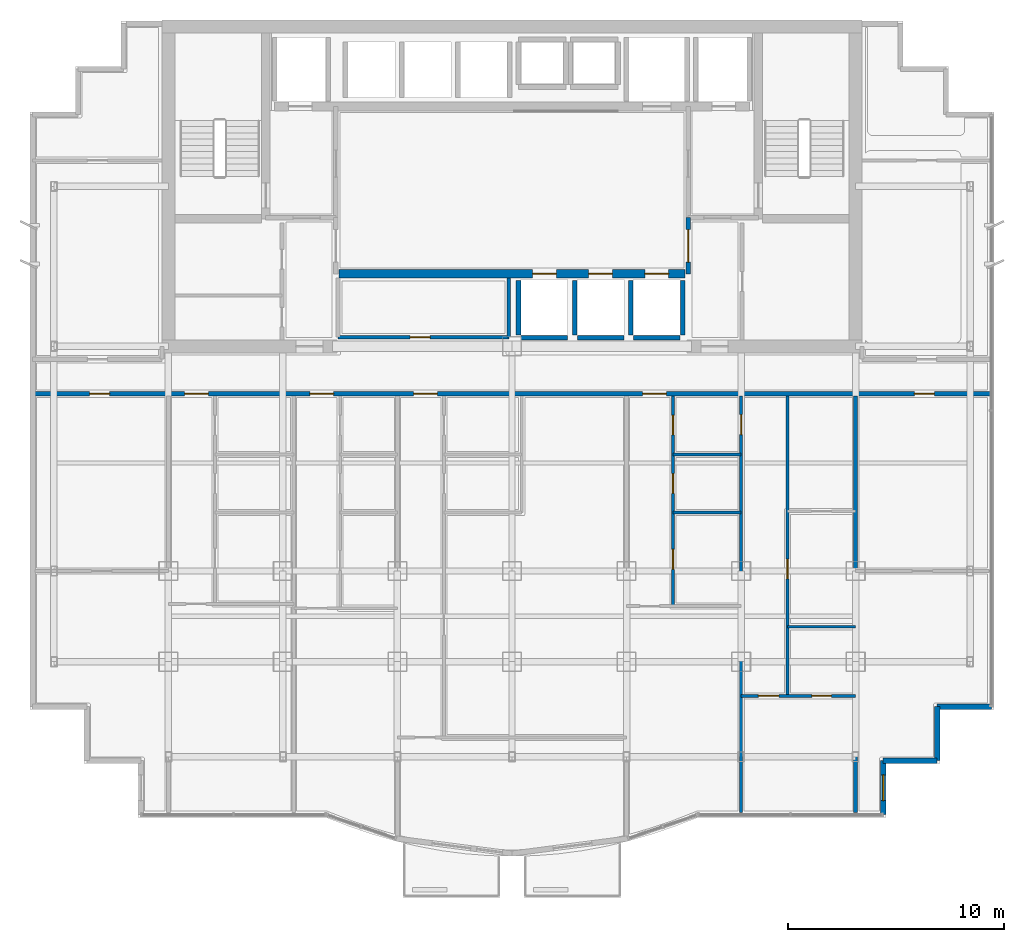
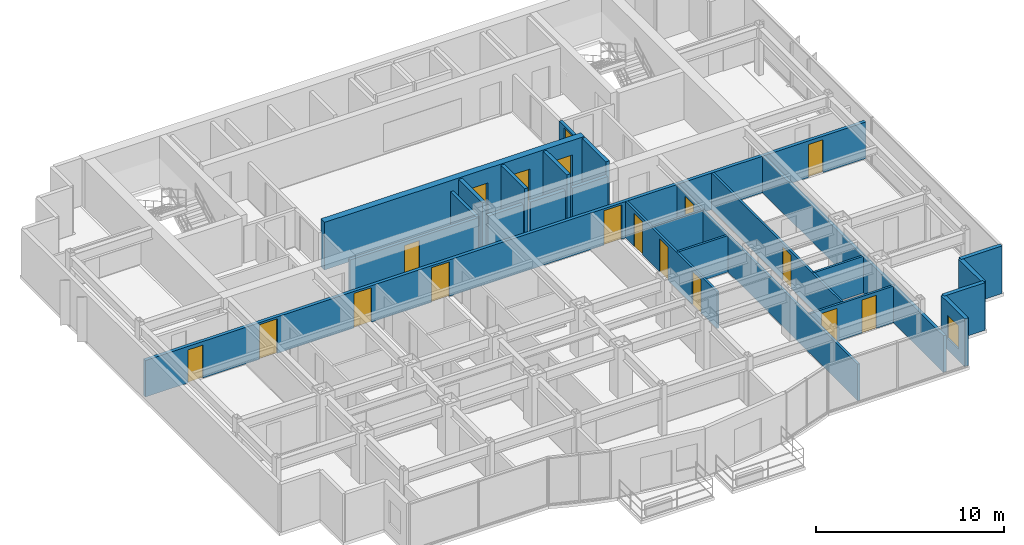
# One storey, part 9 of 13: 24 walls, 18 doors, 1 window, 19 openings.
"""IFC4 building model written with IfcOpenShell, lengths in metres."""

from ifc_helpers import new_model, si_unit, direction, frame, frame_2d, origin, place, context, subcontext, project, spatial, rectangle, extrude, material, layer, layer_set, type_object, element, fill, save


model = new_model("IFC4")

# Units and contexts
model_context = context("Model", 3, precision=1e-05, world=origin(), true_north=direction((0.0, 1.0)))
body_context = subcontext(model_context, "Body", "Model", "MODEL_VIEW")
ifc_project = project(units=[si_unit("LENGTHUNIT", "METRE"), si_unit("AREAUNIT", "SQUARE_METRE"), si_unit("VOLUMEUNIT", "CUBIC_METRE"), si_unit("PLANEANGLEUNIT", "RADIAN"), si_unit("MASSUNIT", "GRAM", prefix="KILO")], contexts=[model_context])

# Site, building, storey
site_placement = place(None, origin())
site = spatial("IfcSite", under=ifc_project, at=site_placement, CompositionType="ELEMENT")
building_placement = place(site_placement, origin())
building = spatial("IfcBuilding", under=site, at=building_placement, Name="Qianlan Lanfeng Residences", CompositionType="ELEMENT")
storey_placement = place(building_placement, frame((0.0, 0.0, 142.5)))
storey = spatial("IfcBuildingStorey", under=building, at=storey_placement, Name="L38", CompositionType="ELEMENT", Elevation=142.5)

# Wall, openings, doors
ifc_material_1 = material(Name="Concrete C56", Category="concrete")
ifc_layer_1 = layer(ifc_material_1, 0.39990234375)
ifc_layer_set_1 = layer_set([ifc_layer_1], Name="Concrete C56")
wall_type_1 = type_object("IfcWallType", Name="CW-RC-400", PredefinedType="SHEAR", material=ifc_layer_set_1)
wall_1_placement = place(storey_placement, frame((18.5, 28.550048828125, 0.0), z_axis=(0.0, 0.0, 1.0), x_axis=(1.0, 0.0, 0.0)))
wall_1 = element("IfcWall", 1, at=wall_1_placement, inside=storey, type_object=wall_type_1, Name="L38 Core Shear Wall LBS", PredefinedType="SHEAR", context=body_context, shape_type="SweptSolid", body=[
    extrude(rectangle(XDim=16.0, YDim=0.39990234375, at=frame_2d((8.0, 0.0))), origin(), (0.0, 0.0, 1.0), 3.10009765625),
])
opening_1_placement = place(wall_1_placement, frame((8.949951171875, 0.0, 0.0)))
opening_1 = element("IfcOpeningElement", 2, at=opening_1_placement, cuts=wall_1, Name="Opening L38-LD-PL-M1", PredefinedType="OPENING", context=body_context, shape_type="SweptSolid", body=[
    extrude(rectangle(XDim=1.10009765625, YDim=2.14990234375, at=frame_2d((0.550048828125, 1.074951171875))), frame((0.0, 0.2099609375, 0.0), z_axis=(0.0, -1.0, 0.0), x_axis=(1.0, 0.0, 0.0)), (0.0, 0.0, 1.0), 0.419921875),
])
opening_2_placement = place(wall_1_placement, frame((11.550048828125, 0.0, 0.0)))
opening_2 = element("IfcOpeningElement", 3, at=opening_2_placement, cuts=wall_1, Name="Opening L38-LD-PL-M2", PredefinedType="OPENING", context=body_context, shape_type="SweptSolid", body=[
    extrude(rectangle(XDim=1.10009765625, YDim=2.14990234375, at=frame_2d((0.550048828125, 1.074951171875))), frame((0.0, 0.2099609375, 0.0), z_axis=(0.0, -1.0, 0.0), x_axis=(1.0, 0.0, 0.0)), (0.0, 0.0, 1.0), 0.419921875),
])
opening_3_placement = place(wall_1_placement, frame((14.14990234375, 0.0, 0.0)))
opening_3 = element("IfcOpeningElement", 4, at=opening_3_placement, cuts=wall_1, Name="Opening L38-LD-PL-M3", PredefinedType="OPENING", context=body_context, shape_type="SweptSolid", body=[
    extrude(rectangle(XDim=1.10009765625, YDim=2.14990234375, at=frame_2d((0.550048828125, 1.074951171875))), frame((0.0, 0.2099609375, 0.0), z_axis=(0.0, -1.0, 0.0), x_axis=(1.0, 0.0, 0.0)), (0.0, 0.0, 1.0), 0.419921875),
])
ifc_material_2 = material(Name="Brushed Stainless Steel Sliding Lift Door", Category="steel")
door_type_1 = type_object("IfcDoorType", Name="LD-01", OperationType="NOTDEFINED", PredefinedType="DOOR", material=ifc_material_2)
door_1_placement = place(opening_1_placement, origin())
door_1 = element("IfcDoor", 5, at=door_1_placement, inside=storey, type_object=door_type_1, Name="L38 Elevator PL-M1 Sliding Landing Door", OperationType="DOUBLE_DOOR_SLIDING", OverallHeight=2.14990234375, OverallWidth=1.10009765625, PredefinedType="DOOR", context=body_context, shape_type="SweptSolid", body=[
    extrude(rectangle(XDim=1.10009765625, YDim=2.14990234375, at=frame_2d((0.550048828125, 1.074951171875))), frame((0.0, 0.02490234375, 0.0), z_axis=(0.0, -1.0, 0.0), x_axis=(1.0, 0.0, 0.0)), (0.0, 0.0, 1.0), 0.050048828125),
])
fill(opening_1, door_1)
door_2_placement = place(opening_2_placement, origin())
door_2 = element("IfcDoor", 6, at=door_2_placement, inside=storey, type_object=door_type_1, Name="L38 Elevator PL-M2 Sliding Landing Door", OperationType="DOUBLE_DOOR_SLIDING", OverallHeight=2.14990234375, OverallWidth=1.10009765625, PredefinedType="DOOR", context=body_context, shape_type="SweptSolid", body=[
    extrude(rectangle(XDim=1.10009765625, YDim=2.14990234375, at=frame_2d((0.550048828125, 1.074951171875))), frame((0.0, 0.02490234375, 0.0), z_axis=(0.0, -1.0, 0.0), x_axis=(1.0, 0.0, 0.0)), (0.0, 0.0, 1.0), 0.050048828125),
])
fill(opening_2, door_2)
door_3_placement = place(opening_3_placement, origin())
door_3 = element("IfcDoor", 7, at=door_3_placement, inside=storey, type_object=door_type_1, Name="L38 Elevator PL-M3 Sliding Landing Door", OperationType="DOUBLE_DOOR_SLIDING", OverallHeight=2.14990234375, OverallWidth=1.10009765625, PredefinedType="DOOR", context=body_context, shape_type="SweptSolid", body=[
    extrude(rectangle(XDim=1.10009765625, YDim=2.14990234375, at=frame_2d((0.550048828125, 1.074951171875))), frame((0.0, 0.02490234375, 0.0), z_axis=(0.0, -1.0, 0.0), x_axis=(1.0, 0.0, 0.0)), (0.0, 0.0, 1.0), 0.050048828125),
])
fill(opening_3, door_3)

# Wall, opening, window
ifc_material_3 = material(Name="Concrete C42", Category="concrete")
ifc_layer_2 = layer(ifc_material_3, 0.239990234375)
ifc_layer_set_2 = layer_set([ifc_layer_2], Name="Concrete C42")
wall_type_2 = type_object("IfcWallType", Name="EW-240", PredefinedType="SOLIDWALL", material=ifc_layer_set_2)
wall_2_placement = place(storey_placement, frame((43.679931640625, 3.52001953125, 0.0), z_axis=(0.0, 0.0, 1.0), x_axis=(0.0, 1.0, 0.0)))
wall_2 = element("IfcWall", 8, at=wall_2_placement, inside=storey, type_object=wall_type_2, Name="L38 Exterior Facade Spandrel Wall 7", PredefinedType="SOLIDWALL", context=body_context, shape_type="SweptSolid", body=[
    extrude(rectangle(XDim=2.5, YDim=0.239990234375, at=frame_2d((1.25, 0.0))), origin(), (0.0, 0.0, 1.0), 3.10009765625),
])
opening_4_placement = place(wall_2_placement, frame((0.64990234375, 0.0, 0.75)))
opening_4 = element("IfcOpeningElement", 9, at=opening_4_placement, cuts=wall_2, Name="Opening W-03", PredefinedType="OPENING", context=body_context, shape_type="SweptSolid", body=[
    extrude(rectangle(XDim=1.199951171875, YDim=1.5, at=frame_2d((0.60009765625, 0.75))), frame((0.0, 0.1298828125, 0.0), z_axis=(0.0, -1.0, 0.0), x_axis=(1.0, 0.0, 0.0)), (0.0, 0.0, 1.0), 0.260009765625),
])
ifc_material_4 = material(Name="Anodised Bronze Aluminium Framed Double Glazing", Category="aluminium")
window_type = type_object("IfcWindowType", Name="W-03", PartitioningType="SINGLE_PANEL", PredefinedType="WINDOW", material=ifc_material_4)
window_placement = place(opening_4_placement, origin())
window = element("IfcWindow", 10, at=window_placement, inside=storey, type_object=window_type, Name="L38 Facade Punched Window W-03", OverallHeight=1.5, OverallWidth=1.199951171875, PartitioningType="SINGLE_PANEL", PredefinedType="WINDOW", context=body_context, shape_type="SweptSolid", body=[
    extrude(rectangle(XDim=1.199951171875, YDim=1.5, at=frame_2d((0.60009765625, 0.75))), frame((0.0, 0.030029296875, 0.0), z_axis=(0.0, -1.0, 0.0), x_axis=(1.0, 0.0, 0.0)), (0.0, 0.0, 1.0), 0.06005859375),
])
fill(opening_4, window)

# Walls
for number, where, z_axis, x_axis, name in (
    (11, (43.679931640625, 6.02001953125, 0.0), (0.0, 0.0, 1.0), (1.0, 0.0, 0.0), "L38 Exterior Facade Spandrel Wall 8"),
    (12, (46.179931640625, 6.02001953125, 0.0), (0.0, 0.0, 1.0), (0.0, 1.0, 0.0), "L38 Exterior Facade Spandrel Wall 9"),
    (13, (46.179931640625, 8.52001953125, 0.0), (0.0, 0.0, 1.0), (1.0, 0.0, 0.0), "L38 Exterior Facade Spandrel Wall 10"),
):
    element("IfcWall", number, at=place(storey_placement, frame(where, z_axis=z_axis, x_axis=x_axis)), inside=storey, type_object=wall_type_2, Name=name, PredefinedType="SOLIDWALL", context=body_context, shape_type="SweptSolid", body=[
        extrude(rectangle(XDim=2.5, YDim=0.239990234375, at=frame_2d((1.25, 0.0))), origin(), (0.0, 0.0, 1.0), 3.10009765625),
    ])

# Wall, opening, door
ifc_material_5 = material(Name="Moisture-Resistant Gypsum Partition 135 mm")
ifc_layer_3 = layer(ifc_material_5, 0.135009765625)
ifc_layer_set_3 = layer_set([ifc_layer_3], Name="Moisture-Resistant Gypsum Partition 135 mm")
wall_type_3 = type_object("IfcWallType", Name="PW-135", PredefinedType="PARTITIONING", material=ifc_layer_set_3)
wall_3_placement = place(storey_placement, frame((37.10009765625, 3.6201171875, 0.0), z_axis=(0.0, 0.0, 1.0), x_axis=(0.0, 1.0, 0.0)))
wall_3 = element("IfcWall", 14, at=wall_3_placement, inside=storey, type_object=wall_type_3, Name="L38 U04 Bay Spine Wall 1", PredefinedType="PARTITIONING", context=body_context, shape_type="SweptSolid", body=[
    extrude(rectangle(XDim=19.27978515625, YDim=0.135009765625, at=frame_2d((9.639892578125, 0.0))), origin(), (0.0, 0.0, 1.0), 2.3798828125),
])
opening_5_placement = place(wall_3_placement, frame((17.4951171875, 0.0, 0.0)))
opening_5 = element("IfcOpeningElement", 15, at=opening_5_placement, cuts=wall_3, Name="Opening L38-D31", PredefinedType="OPENING", context=body_context, shape_type="SweptSolid", body=[
    extrude(rectangle(XDim=0.919921875, YDim=2.14990234375, at=frame_2d((0.4599609375, 1.074951171875))), frame((0.0, 0.07763671875, 0.0), z_axis=(0.0, -1.0, 0.0), x_axis=(1.0, 0.0, 0.0)), (0.0, 0.0, 1.0), 0.155029296875),
])
ifc_material_6 = material(Name="Glazed Timber Kitchen/Study Door", Category="wood")
door_type_2 = type_object("IfcDoorType", Name="DT-INT", OperationType="NOTDEFINED", PredefinedType="DOOR", material=ifc_material_6)
door_4_placement = place(opening_5_placement, origin())
door_4 = element("IfcDoor", 16, at=door_4_placement, inside=storey, type_object=door_type_2, Name="L38 U04 Internal Hall Door L38-D31 (DT-INT)", OperationType="SINGLE_SWING_RIGHT", OverallHeight=2.14990234375, OverallWidth=0.919921875, PredefinedType="DOOR", context=body_context, shape_type="SweptSolid", body=[
    extrude(rectangle(XDim=0.919921875, YDim=2.14990234375, at=frame_2d((0.4599609375, 1.074951171875))), frame((0.0, 0.02490234375, 0.0), z_axis=(0.0, -1.0, 0.0), x_axis=(1.0, 0.0, 0.0)), (0.0, 0.0, 1.0), 0.050048828125),
])
fill(opening_5, door_4)

# Wall, openings, doors
wall_4_placement = place(storey_placement, frame((33.949951171875, 13.174072265625, 0.0), z_axis=(0.0, 0.0, 1.0), x_axis=(0.0, 1.0, 0.0)))
wall_4 = element("IfcWall", 17, at=wall_4_placement, inside=storey, type_object=wall_type_3, Name="L38 U04 Entry Hall Spine", PredefinedType="PARTITIONING", context=body_context, shape_type="SweptSolid", body=[
    extrude(rectangle(XDim=9.725830078125, YDim=0.135009765625, at=frame_2d((4.86279296875, 0.0))), origin(), (0.0, 0.0, 1.0), 2.3798828125),
])
opening_6_placement = place(wall_4_placement, frame((1.702880859375, 0.0, 0.0)))
opening_6 = element("IfcOpeningElement", 18, at=opening_6_placement, cuts=wall_4, Name="Opening L38-D33", PredefinedType="OPENING", context=body_context, shape_type="SweptSolid", body=[
    extrude(rectangle(XDim=0.919921875, YDim=2.14990234375, at=frame_2d((0.4599609375, 1.074951171875))), frame((0.0, 0.07763671875, 0.0), z_axis=(0.0, -1.0, 0.0), x_axis=(1.0, 0.0, 0.0)), (0.0, 0.0, 1.0), 0.155029296875),
])
opening_7_placement = place(wall_4_placement, frame((5.216064453125, 0.0, 0.0)))
opening_7 = element("IfcOpeningElement", 19, at=opening_7_placement, cuts=wall_4, Name="Opening L38-D34", PredefinedType="OPENING", context=body_context, shape_type="SweptSolid", body=[
    extrude(rectangle(XDim=0.919921875, YDim=2.14990234375, at=frame_2d((0.4599609375, 1.074951171875))), frame((0.0, 0.07763671875, 0.0), z_axis=(0.0, -1.0, 0.0), x_axis=(1.0, 0.0, 0.0)), (0.0, 0.0, 1.0), 0.155029296875),
])
opening_8_placement = place(wall_4_placement, frame((7.926025390625, 0.0, 0.0)))
opening_8 = element("IfcOpeningElement", 20, at=opening_8_placement, cuts=wall_4, Name="Opening L38-D35", PredefinedType="OPENING", context=body_context, shape_type="SweptSolid", body=[
    extrude(rectangle(XDim=0.89990234375, YDim=2.14990234375, at=frame_2d((0.449951171875, 1.074951171875))), frame((0.0, 0.07763671875, 0.0), z_axis=(0.0, -1.0, 0.0), x_axis=(1.0, 0.0, 0.0)), (0.0, 0.0, 1.0), 0.155029296875),
])
door_5_placement = place(opening_6_placement, origin())
door_5 = element("IfcDoor", 21, at=door_5_placement, inside=storey, type_object=door_type_2, Name="L38 U04 Study Door L38-D33 (DT-INT)", OperationType="SINGLE_SWING_RIGHT", OverallHeight=2.14990234375, OverallWidth=0.919921875, PredefinedType="DOOR", context=body_context, shape_type="SweptSolid", body=[
    extrude(rectangle(XDim=0.919921875, YDim=2.14990234375, at=frame_2d((0.4599609375, 1.074951171875))), frame((0.0, 0.02490234375, 0.0), z_axis=(0.0, -1.0, 0.0), x_axis=(1.0, 0.0, 0.0)), (0.0, 0.0, 1.0), 0.050048828125),
])
fill(opening_6, door_5)
door_6_placement = place(opening_7_placement, origin())
door_6 = element("IfcDoor", 22, at=door_6_placement, inside=storey, type_object=door_type_2, Name="L38 U04 Kitchen Door L38-D34 (DT-INT)", OperationType="SINGLE_SWING_LEFT", OverallHeight=2.14990234375, OverallWidth=0.919921875, PredefinedType="DOOR", context=body_context, shape_type="SweptSolid", body=[
    extrude(rectangle(XDim=0.919921875, YDim=2.14990234375, at=frame_2d((0.4599609375, 1.074951171875))), frame((0.0, 0.02490234375, 0.0), z_axis=(0.0, -1.0, 0.0), x_axis=(1.0, 0.0, 0.0)), (0.0, 0.0, 1.0), 0.050048828125),
])
fill(opening_7, door_6)
ifc_material_7 = material(Name="Moisture-Resistant Timber Leaf", Category="wood")
door_type_3 = type_object("IfcDoorType", Name="DT-WC", OperationType="NOTDEFINED", PredefinedType="DOOR", material=ifc_material_7)
door_7_placement = place(opening_8_placement, origin())
door_7 = element("IfcDoor", 23, at=door_7_placement, inside=storey, type_object=door_type_3, Name="L38 U04 Bathroom Door L38-D35 (DT-WC)", OperationType="SINGLE_SWING_RIGHT", OverallHeight=2.14990234375, OverallWidth=0.89990234375, PredefinedType="DOOR", context=body_context, shape_type="SweptSolid", body=[
    extrude(rectangle(XDim=0.89990234375, YDim=2.14990234375, at=frame_2d((0.449951171875, 1.074951171875))), frame((0.0, 0.02490234375, 0.0), z_axis=(0.0, -1.0, 0.0), x_axis=(1.0, 0.0, 0.0)), (0.0, 0.0, 1.0), 0.050048828125),
])
fill(opening_8, door_7)

# Walls
for number, where, z_axis, x_axis, name in (
    (24, (33.949951171875, 17.5, 0.0), (0.0, 0.0, 1.0), (1.0, 0.0, 0.0), "L38 U04 Kitchen South Wall"),
    (25, (33.949951171875, 20.199951171875, 0.0), (0.0, 0.0, 1.0), (1.0, 0.0, 0.0), "L38 U04 Bathroom South Wall"),
):
    element("IfcWall", number, at=place(storey_placement, frame(where, z_axis=z_axis, x_axis=x_axis)), inside=storey, type_object=wall_type_3, Name=name, PredefinedType="PARTITIONING", context=body_context, shape_type="SweptSolid", body=[
        extrude(rectangle(XDim=3.150146484375, YDim=0.135009765625, at=frame_2d((1.5751953125, 0.0))), origin(), (0.0, 0.0, 1.0), 2.3798828125),
    ])

# Wall, openings, doors
wall_5_placement = place(storey_placement, frame((37.10009765625, 9.02001953125, 0.0), z_axis=(0.0, 0.0, 1.0), x_axis=(1.0, 0.0, 0.0)))
wall_5 = element("IfcWall", 26, at=wall_5_placement, inside=storey, type_object=wall_type_3, Name="L38 U04 Master Bedroom North Wall", PredefinedType="PARTITIONING", context=body_context, shape_type="SweptSolid", body=[
    extrude(rectangle(XDim=5.2998046875, YDim=0.135009765625, at=frame_2d((2.64990234375, 0.0))), origin(), (0.0, 0.0, 1.0), 2.3798828125),
])
opening_9_placement = place(wall_5_placement, frame((0.800048828125, 0.0, 0.0)))
opening_9 = element("IfcOpeningElement", 27, at=opening_9_placement, cuts=wall_5, Name="Opening L38-D36", PredefinedType="OPENING", context=body_context, shape_type="SweptSolid", body=[
    extrude(rectangle(XDim=0.949951171875, YDim=2.14990234375, at=frame_2d((0.47509765625, 1.074951171875))), frame((0.0, 0.07763671875, 0.0), z_axis=(0.0, -1.0, 0.0), x_axis=(1.0, 0.0, 0.0)), (0.0, 0.0, 1.0), 0.155029296875),
])
opening_10_placement = place(wall_5_placement, frame((3.27490234375, 0.0, 0.0)))
opening_10 = element("IfcOpeningElement", 28, at=opening_10_placement, cuts=wall_5, Name="Opening L38-D37", PredefinedType="OPENING", context=body_context, shape_type="SweptSolid", body=[
    extrude(rectangle(XDim=0.89990234375, YDim=2.14990234375, at=frame_2d((0.449951171875, 1.074951171875))), frame((0.0, 0.07763671875, 0.0), z_axis=(0.0, -1.0, 0.0), x_axis=(1.0, 0.0, 0.0)), (0.0, 0.0, 1.0), 0.155029296875),
])
ifc_material_8 = material(Name="Painted Solid-Core Timber Leaf", Category="wood")
door_type_4 = type_object("IfcDoorType", Name="DT-BED", OperationType="NOTDEFINED", PredefinedType="DOOR", material=ifc_material_8)
door_8_placement = place(opening_9_placement, origin())
door_8 = element("IfcDoor", 29, at=door_8_placement, inside=storey, type_object=door_type_4, Name="L38 U04 Master Bedroom Door L38-D36 (DT-BED)", OperationType="SINGLE_SWING_LEFT", OverallHeight=2.14990234375, OverallWidth=0.949951171875, PredefinedType="DOOR", context=body_context, shape_type="SweptSolid", body=[
    extrude(rectangle(XDim=0.949951171875, YDim=2.14990234375, at=frame_2d((0.47509765625, 1.074951171875))), frame((0.0, 0.02490234375, 0.0), z_axis=(0.0, -1.0, 0.0), x_axis=(1.0, 0.0, 0.0)), (0.0, 0.0, 1.0), 0.050048828125),
])
fill(opening_9, door_8)
door_9_placement = place(opening_10_placement, origin())
door_9 = element("IfcDoor", 30, at=door_9_placement, inside=storey, type_object=door_type_3, Name="L38 U04 En-Suite Bathroom Door L38-D37 (DT-WC)", OperationType="SINGLE_SWING_RIGHT", OverallHeight=2.14990234375, OverallWidth=0.89990234375, PredefinedType="DOOR", context=body_context, shape_type="SweptSolid", body=[
    extrude(rectangle(XDim=0.89990234375, YDim=2.14990234375, at=frame_2d((0.449951171875, 1.074951171875))), frame((0.0, 0.02490234375, 0.0), z_axis=(0.0, -1.0, 0.0), x_axis=(1.0, 0.0, 0.0)), (0.0, 0.0, 1.0), 0.050048828125),
])
fill(opening_10, door_9)

# Wall, opening, door
wall_6_placement = place(storey_placement, frame((39.25, 9.02001953125, 0.0), z_axis=(0.0, 0.0, 1.0), x_axis=(0.0, 1.0, 0.0)))
wall_6 = element("IfcWall", 31, at=wall_6_placement, inside=storey, type_object=wall_type_3, Name="L38 U04 Master Passage Wall", PredefinedType="PARTITIONING", context=body_context, shape_type="SweptSolid", body=[
    extrude(rectangle(XDim=13.8798828125, YDim=0.135009765625, at=frame_2d((6.93994140625, 0.0))), origin(), (0.0, 0.0, 1.0), 2.3798828125),
])
opening_11_placement = place(wall_6_placement, frame((5.409912109375, 0.0, 0.0)))
opening_11 = element("IfcOpeningElement", 32, at=opening_11_placement, cuts=wall_6, Name="Opening L38-D38", PredefinedType="OPENING", context=body_context, shape_type="SweptSolid", body=[
    extrude(rectangle(XDim=0.919921875, YDim=2.14990234375, at=frame_2d((0.4599609375, 1.074951171875))), frame((0.0, 0.07763671875, 0.0), z_axis=(0.0, -1.0, 0.0), x_axis=(1.0, 0.0, 0.0)), (0.0, 0.0, 1.0), 0.155029296875),
])
door_10_placement = place(opening_11_placement, origin())
door_10 = element("IfcDoor", 33, at=door_10_placement, inside=storey, type_object=door_type_2, Name="L38 U04 Wardrobe Door L38-D38 (DT-INT)", OperationType="SINGLE_SWING_LEFT", OverallHeight=2.14990234375, OverallWidth=0.919921875, PredefinedType="DOOR", context=body_context, shape_type="SweptSolid", body=[
    extrude(rectangle(XDim=0.919921875, YDim=2.14990234375, at=frame_2d((0.4599609375, 1.074951171875))), frame((0.0, 0.02490234375, 0.0), z_axis=(0.0, -1.0, 0.0), x_axis=(1.0, 0.0, 0.0)), (0.0, 0.0, 1.0), 0.050048828125),
])
fill(opening_11, door_10)

# Walls
wall_7_placement = place(storey_placement, frame((39.25, 12.219970703125, 0.0), z_axis=(0.0, 0.0, 1.0), x_axis=(1.0, 0.0, 0.0)))
element("IfcWall", 34, at=wall_7_placement, inside=storey, type_object=wall_type_3, Name="L38 U04 En-Suite North Wall", PredefinedType="PARTITIONING", context=body_context, shape_type="SweptSolid", body=[
    extrude(rectangle(XDim=3.14990234375, YDim=0.135009765625, at=frame_2d((1.574951171875, 0.0))), origin(), (0.0, 0.0, 1.0), 2.3798828125),
])
ifc_material_9 = material(Name="Double-Layer Acoustic Gypsum Stud Wall 180 mm")
ifc_layer_4 = layer(ifc_material_9, 0.179931640625)
ifc_layer_set_4 = layer_set([ifc_layer_4], Name="Double-Layer Acoustic Gypsum Stud Wall 180 mm")
wall_type_4 = type_object("IfcWallType", Name="PW-180", PredefinedType="PARTITIONING", material=ifc_layer_set_4)
wall_8_placement = place(storey_placement, frame((26.35009765625, 25.6201171875, 0.0), z_axis=(0.0, 0.0, 1.0), x_axis=(0.0, 1.0, 0.0)))
element("IfcWall", 35, at=wall_8_placement, inside=storey, type_object=wall_type_4, Name="L38 Reclaimed Low-Bank Room East Wall", PredefinedType="PARTITIONING", context=body_context, shape_type="SweptSolid", body=[
    extrude(rectangle(XDim=2.72998046875, YDim=0.179931640625, at=frame_2d((1.364990234375, 0.0))), origin(), (0.0, 0.0, 1.0), 2.3798828125),
])

# Wall, opening, door
wall_9_placement = place(storey_placement, frame((18.449951171875, 25.6201171875, 0.0), z_axis=(0.0, 0.0, 1.0), x_axis=(1.0, 0.0, 0.0)))
wall_9 = element("IfcWall", 36, at=wall_9_placement, inside=storey, type_object=wall_type_4, Name="L38 Reclaimed Low-Bank Room South Wall", PredefinedType="PARTITIONING", context=body_context, shape_type="SweptSolid", body=[
    extrude(rectangle(XDim=7.900146484375, YDim=0.179931640625, at=frame_2d((3.9501953125, 0.0))), origin(), (0.0, 0.0, 1.0), 2.3798828125),
])
opening_12_placement = place(wall_9_placement, frame((3.340087890625, 0.0, 0.0)))
opening_12 = element("IfcOpeningElement", 37, at=opening_12_placement, cuts=wall_9, Name="Opening L38-D14", PredefinedType="OPENING", context=body_context, shape_type="SweptSolid", body=[
    extrude(rectangle(XDim=0.919921875, YDim=2.14990234375, at=frame_2d((0.4599609375, 1.074951171875))), frame((0.0, 0.10009765625, 0.0), z_axis=(0.0, -1.0, 0.0), x_axis=(1.0, 0.0, 0.0)), (0.0, 0.0, 1.0), 0.199951171875),
])
door_11_placement = place(opening_12_placement, origin())
door_11 = element("IfcDoor", 38, at=door_11_placement, inside=storey, type_object=door_type_2, Name="L38 Reclaimed Core Salon Door L38-D14 (DT-INT)", OperationType="SINGLE_SWING_LEFT", OverallHeight=2.14990234375, OverallWidth=0.919921875, PredefinedType="DOOR", context=body_context, shape_type="SweptSolid", body=[
    extrude(rectangle(XDim=0.919921875, YDim=2.14990234375, at=frame_2d((0.4599609375, 1.074951171875))), frame((0.0, 0.02490234375, 0.0), z_axis=(0.0, -1.0, 0.0), x_axis=(1.0, 0.0, 0.0)), (0.0, 0.0, 1.0), 0.050048828125),
])
fill(opening_12, door_11)

# Wall
wall_10_placement = place(storey_placement, frame((42.39990234375, 3.6201171875, 0.0), z_axis=(0.0, 0.0, 1.0), x_axis=(0.0, 1.0, 0.0)))
element("IfcWall", 39, at=wall_10_placement, inside=storey, type_object=wall_type_4, Name="L38 Wing Boundary Party Wall E0", PredefinedType="PARTITIONING", context=body_context, shape_type="SweptSolid", body=[
    extrude(rectangle(XDim=19.27978515625, YDim=0.179931640625, at=frame_2d((9.639892578125, 0.0))), origin(), (0.0, 0.0, 1.0), 2.3798828125),
])

# Wall, opening, door
ifc_material_10 = material(Name="Autoclaved Aerated Concrete Blockwork 200 mm", Category="masonry")
ifc_layer_5 = layer(ifc_material_10, 0.199951171875)
ifc_layer_set_5 = layer_set([ifc_layer_5], Name="Autoclaved Aerated Concrete Blockwork 200 mm")
wall_type_5 = type_object("IfcWallType", Name="PW-200", PredefinedType="PARTITIONING", material=ifc_layer_set_5)
wall_11_placement = place(storey_placement, frame((34.64990234375, 28.550048828125, 0.0), z_axis=(0.0, 0.0, 1.0), x_axis=(0.0, 1.0, 0.0)))
wall_11 = element("IfcWall", 40, at=wall_11_placement, inside=storey, type_object=wall_type_5, Name="L38 Lift Lobby East Connector Wall", PredefinedType="PARTITIONING", context=body_context, shape_type="SweptSolid", body=[
    extrude(rectangle(XDim=2.599853515625, YDim=0.199951171875, at=frame_2d((1.2998046875, 0.0))), origin(), (0.0, 0.0, 1.0), 2.3798828125),
])
opening_13_placement = place(wall_11_placement, frame((0.550048828125, 0.0, 0.0)))
opening_13 = element("IfcOpeningElement", 41, at=opening_13_placement, cuts=wall_11, Name="Opening L38-D13", PredefinedType="OPENING", context=body_context, shape_type="SweptSolid", body=[
    extrude(rectangle(XDim=1.5, YDim=2.25, at=frame_2d((0.75, 1.125))), frame((0.0, 0.10986328125, 0.0), z_axis=(0.0, -1.0, 0.0), x_axis=(1.0, 0.0, 0.0)), (0.0, 0.0, 1.0), 0.219970703125),
])
ifc_material_11 = material(Name="Timber Veneer Acoustic Fire Door", Category="wood")
door_type_5 = type_object("IfcDoorType", Name="DT-COR1", OperationType="NOTDEFINED", PredefinedType="DOOR", material=ifc_material_11)
door_12_placement = place(opening_13_placement, frame((1.5, 0.0, 0.0), z_axis=(0.0, 0.0, 1.0), x_axis=(-1.0, 0.0, 0.0)))
door_12 = element("IfcDoor", 42, at=door_12_placement, inside=storey, type_object=door_type_5, Name="L38 Lift Lobby East Portal Door L38-D13 (DT-COR1)", OperationType="DOUBLE_DOOR_SINGLE_SWING", OverallHeight=2.25, OverallWidth=1.5, PredefinedType="DOOR", context=body_context, shape_type="SweptSolid", body=[
    extrude(rectangle(XDim=1.5, YDim=2.25, at=frame_2d((0.75, 1.125))), frame((0.0, 0.02490234375, 0.0), z_axis=(0.0, -1.0, 0.0), x_axis=(1.0, 0.0, 0.0)), (0.0, 0.0, 1.0), 0.050048828125),
])
fill(opening_13, door_12)

# Wall, openings, doors
wall_12_placement = place(storey_placement, frame((4.320068359375, 23.0, 0.0), z_axis=(0.0, 0.0, 1.0), x_axis=(1.0, 0.0, 0.0)))
wall_12 = element("IfcWall", 43, at=wall_12_placement, inside=storey, type_object=wall_type_5, Name="L38 Residential Corridor South Fire Wall", PredefinedType="PARTITIONING", context=body_context, shape_type="SweptSolid", body=[
    extrude(rectangle(XDim=44.35986328125, YDim=0.199951171875, at=frame_2d((22.179931640625, 0.0))), origin(), (0.0, 0.0, 1.0), 2.3798828125),
])
opening_14_placement = place(wall_12_placement, frame((7.030029296875, 0.0, 0.0)))
opening_14 = element("IfcOpeningElement", 44, at=opening_14_placement, cuts=wall_12, Name="Opening L38-D15", PredefinedType="OPENING", context=body_context, shape_type="SweptSolid", body=[
    extrude(rectangle(XDim=1.10009765625, YDim=2.25, at=frame_2d((0.550048828125, 1.125))), frame((0.0, 0.10986328125, 0.0), z_axis=(0.0, -1.0, 0.0), x_axis=(1.0, 0.0, 0.0)), (0.0, 0.0, 1.0), 0.219970703125),
])
opening_15_placement = place(wall_12_placement, frame((12.830078125, 0.0, 0.0)))
opening_15 = element("IfcOpeningElement", 45, at=opening_15_placement, cuts=wall_12, Name="Opening L38-D20", PredefinedType="OPENING", context=body_context, shape_type="SweptSolid", body=[
    extrude(rectangle(XDim=1.10009765625, YDim=2.25, at=frame_2d((0.550048828125, 1.125))), frame((0.0, 0.10986328125, 0.0), z_axis=(0.0, -1.0, 0.0), x_axis=(1.0, 0.0, 0.0)), (0.0, 0.0, 1.0), 0.219970703125),
])
opening_16_placement = place(wall_12_placement, frame((17.6298828125, 0.0, 0.0)))
opening_16 = element("IfcOpeningElement", 46, at=opening_16_placement, cuts=wall_12, Name="Opening L38-D25", PredefinedType="OPENING", context=body_context, shape_type="SweptSolid", body=[
    extrude(rectangle(XDim=1.10009765625, YDim=2.25, at=frame_2d((0.550048828125, 1.125))), frame((0.0, 0.10986328125, 0.0), z_axis=(0.0, -1.0, 0.0), x_axis=(1.0, 0.0, 0.0)), (0.0, 0.0, 1.0), 0.219970703125),
])
opening_17_placement = place(wall_12_placement, frame((28.22998046875, 0.0, 0.0)))
opening_17 = element("IfcOpeningElement", 47, at=opening_17_placement, cuts=wall_12, Name="Opening L38-D30", PredefinedType="OPENING", context=body_context, shape_type="SweptSolid", body=[
    extrude(rectangle(XDim=1.10009765625, YDim=2.25, at=frame_2d((0.550048828125, 1.125))), frame((0.0, 0.10986328125, 0.0), z_axis=(0.0, -1.0, 0.0), x_axis=(1.0, 0.0, 0.0)), (0.0, 0.0, 1.0), 0.219970703125),
])
opening_18_placement = place(wall_12_placement, frame((2.635009765625, 0.0, 0.0)))
opening_18 = element("IfcOpeningElement", 48, at=opening_18_placement, cuts=wall_12, Name="Opening L38-D41", PredefinedType="OPENING", context=body_context, shape_type="SweptSolid", body=[
    extrude(rectangle(XDim=0.919921875, YDim=2.14990234375, at=frame_2d((0.4599609375, 1.074951171875))), frame((0.0, 0.10986328125, 0.0), z_axis=(0.0, -1.0, 0.0), x_axis=(1.0, 0.0, 0.0)), (0.0, 0.0, 1.0), 0.219970703125),
])
opening_19_placement = place(wall_12_placement, frame((40.804931640625, 0.0, 0.0)))
opening_19 = element("IfcOpeningElement", 49, at=opening_19_placement, cuts=wall_12, Name="Opening L38-D43", PredefinedType="OPENING", context=body_context, shape_type="SweptSolid", body=[
    extrude(rectangle(XDim=0.919921875, YDim=2.14990234375, at=frame_2d((0.4599609375, 1.074951171875))), frame((0.0, 0.10986328125, 0.0), z_axis=(0.0, -1.0, 0.0), x_axis=(1.0, 0.0, 0.0)), (0.0, 0.0, 1.0), 0.219970703125),
])
door_13_placement = place(opening_18_placement, origin())
door_13 = element("IfcDoor", 50, at=door_13_placement, inside=storey, type_object=door_type_2, Name="L38 SWP Corridor Door L38-D41 (DT-INT)", OperationType="SINGLE_SWING_RIGHT", OverallHeight=2.14990234375, OverallWidth=0.919921875, PredefinedType="DOOR", context=body_context, shape_type="SweptSolid", body=[
    extrude(rectangle(XDim=0.919921875, YDim=2.14990234375, at=frame_2d((0.4599609375, 1.074951171875))), frame((0.0, 0.02490234375, 0.0), z_axis=(0.0, -1.0, 0.0), x_axis=(1.0, 0.0, 0.0)), (0.0, 0.0, 1.0), 0.050048828125),
])
fill(opening_18, door_13)
door_14_placement = place(opening_19_placement, origin())
door_14 = element("IfcDoor", 51, at=door_14_placement, inside=storey, type_object=door_type_2, Name="L38 SEP Corridor Door L38-D43 (DT-INT)", OperationType="SINGLE_SWING_RIGHT", OverallHeight=2.14990234375, OverallWidth=0.919921875, PredefinedType="DOOR", context=body_context, shape_type="SweptSolid", body=[
    extrude(rectangle(XDim=0.919921875, YDim=2.14990234375, at=frame_2d((0.4599609375, 1.074951171875))), frame((0.0, 0.02490234375, 0.0), z_axis=(0.0, -1.0, 0.0), x_axis=(1.0, 0.0, 0.0)), (0.0, 0.0, 1.0), 0.050048828125),
])
fill(opening_19, door_14)
ifc_material_12 = material(Name="Solid-Core Oak Veneer Fire Door")
door_type_6 = type_object("IfcDoorType", Name="DT-UNIT", OperationType="NOTDEFINED", PredefinedType="DOOR", material=ifc_material_12)
door_15_placement = place(opening_14_placement, origin())
door_15 = element("IfcDoor", 52, at=door_15_placement, inside=storey, type_object=door_type_6, Name="L38 Apartment U01 Entrance Door L38-D15 (DT-UNIT)", OperationType="SINGLE_SWING_RIGHT", OverallHeight=2.25, OverallWidth=1.10009765625, PredefinedType="DOOR", context=body_context, shape_type="SweptSolid", body=[
    extrude(rectangle(XDim=1.10009765625, YDim=2.25, at=frame_2d((0.550048828125, 1.125))), frame((0.0, 0.02490234375, 0.0), z_axis=(0.0, -1.0, 0.0), x_axis=(1.0, 0.0, 0.0)), (0.0, 0.0, 1.0), 0.050048828125),
])
fill(opening_14, door_15)
door_16_placement = place(opening_15_placement, frame((1.10009765625, 0.0, 0.0), z_axis=(0.0, 0.0, 1.0), x_axis=(-1.0, 0.0, 0.0)))
door_16 = element("IfcDoor", 53, at=door_16_placement, inside=storey, type_object=door_type_6, Name="L38 Apartment U02 Entrance Door L38-D20 (DT-UNIT)", OperationType="SINGLE_SWING_RIGHT", OverallHeight=2.25, OverallWidth=1.10009765625, PredefinedType="DOOR", context=body_context, shape_type="SweptSolid", body=[
    extrude(rectangle(XDim=1.10009765625, YDim=2.25, at=frame_2d((0.550048828125, 1.125))), frame((0.0, 0.02490234375, 0.0), z_axis=(0.0, -1.0, 0.0), x_axis=(1.0, 0.0, 0.0)), (0.0, 0.0, 1.0), 0.050048828125),
])
fill(opening_15, door_16)
door_17_placement = place(opening_16_placement, origin())
door_17 = element("IfcDoor", 54, at=door_17_placement, inside=storey, type_object=door_type_6, Name="L38 Apartment U03 Entrance Door L38-D25 (DT-UNIT)", OperationType="SINGLE_SWING_RIGHT", OverallHeight=2.25, OverallWidth=1.10009765625, PredefinedType="DOOR", context=body_context, shape_type="SweptSolid", body=[
    extrude(rectangle(XDim=1.10009765625, YDim=2.25, at=frame_2d((0.550048828125, 1.125))), frame((0.0, 0.02490234375, 0.0), z_axis=(0.0, -1.0, 0.0), x_axis=(1.0, 0.0, 0.0)), (0.0, 0.0, 1.0), 0.050048828125),
])
fill(opening_16, door_17)
door_18_placement = place(opening_17_placement, frame((1.10009765625, 0.0, 0.0), z_axis=(0.0, 0.0, 1.0), x_axis=(-1.0, 0.0, 0.0)))
door_18 = element("IfcDoor", 55, at=door_18_placement, inside=storey, type_object=door_type_6, Name="L38 Apartment U04 Entrance Door L38-D30 (DT-UNIT)", OperationType="SINGLE_SWING_RIGHT", OverallHeight=2.25, OverallWidth=1.10009765625, PredefinedType="DOOR", context=body_context, shape_type="SweptSolid", body=[
    extrude(rectangle(XDim=1.10009765625, YDim=2.25, at=frame_2d((0.550048828125, 1.125))), frame((0.0, 0.02490234375, 0.0), z_axis=(0.0, -1.0, 0.0), x_axis=(1.0, 0.0, 0.0)), (0.0, 0.0, 1.0), 0.050048828125),
])
fill(opening_17, door_18)

# Walls
ifc_material_13 = material(Name="Concrete C49", Category="concrete")
ifc_layer_6 = layer(ifc_material_13, 0.219970703125)
ifc_layer_set_6 = layer_set([ifc_layer_6], Name="Concrete C49")
wall_type_6 = type_object("IfcWallType", Name="SHW-220", PredefinedType="SOLIDWALL", material=ifc_layer_set_6)
wall_13_placement = place(storey_placement, frame((26.800048828125, 25.719970703125, 0.0), z_axis=(0.0, 0.0, 1.0), x_axis=(0.0, 1.0, 0.0)))
element("IfcWall", 56, at=wall_13_placement, inside=storey, type_object=wall_type_6, Name="L38 Lift PL-M1 Shaft Wall W", PredefinedType="SOLIDWALL", context=body_context, shape_type="SweptSolid", body=[
    extrude(rectangle(XDim=2.530029296875, YDim=0.219970703125, at=frame_2d((1.26513671875, 0.0))), origin(), (0.0, 0.0, 1.0), 3.10009765625),
])
wall_14_placement = place(storey_placement, frame((26.919921875, 25.60009765625, 0.0), z_axis=(0.0, 0.0, 1.0), x_axis=(1.0, 0.0, 0.0)))
element("IfcWall", 57, at=wall_14_placement, inside=storey, type_object=wall_type_6, Name="L38 Lift PL-M1 Shaft Back Wall S", PredefinedType="SOLIDWALL", context=body_context, shape_type="SweptSolid", body=[
    extrude(rectangle(XDim=2.16015625, YDim=0.219970703125, at=frame_2d((1.080078125, 0.0))), origin(), (0.0, 0.0, 1.0), 2.294921875),
])
wall_15_placement = place(storey_placement, frame((29.39990234375, 25.719970703125, 0.0), z_axis=(0.0, 0.0, 1.0), x_axis=(0.0, 1.0, 0.0)))
element("IfcWall", 58, at=wall_15_placement, inside=storey, type_object=wall_type_6, Name="L38 Lift PL-M2 Shaft Wall W", PredefinedType="SOLIDWALL", context=body_context, shape_type="SweptSolid", body=[
    extrude(rectangle(XDim=2.530029296875, YDim=0.219970703125, at=frame_2d((1.26513671875, 0.0))), origin(), (0.0, 0.0, 1.0), 3.10009765625),
])
wall_16_placement = place(storey_placement, frame((29.52001953125, 25.60009765625, 0.0), z_axis=(0.0, 0.0, 1.0), x_axis=(1.0, 0.0, 0.0)))
element("IfcWall", 59, at=wall_16_placement, inside=storey, type_object=wall_type_6, Name="L38 Lift PL-M2 Shaft Back Wall S", PredefinedType="SOLIDWALL", context=body_context, shape_type="SweptSolid", body=[
    extrude(rectangle(XDim=2.159912109375, YDim=0.219970703125, at=frame_2d((1.080078125, 0.0))), origin(), (0.0, 0.0, 1.0), 2.294921875),
])
for number, where, z_axis, x_axis, name in (
    (60, (32.0, 25.719970703125, 0.0), (0.0, 0.0, 1.0), (0.0, 1.0, 0.0), "L38 Lift PL-M3 Shaft Wall W"),
    (61, (34.39990234375, 25.719970703125, 0.0), (0.0, 0.0, 1.0), (0.0, 1.0, 0.0), "L38 Lift PL-M3 Shaft Wall E"),
):
    element("IfcWall", number, at=place(storey_placement, frame(where, z_axis=z_axis, x_axis=x_axis)), inside=storey, type_object=wall_type_6, Name=name, PredefinedType="SOLIDWALL", context=body_context, shape_type="SweptSolid", body=[
        extrude(rectangle(XDim=2.530029296875, YDim=0.219970703125, at=frame_2d((1.26513671875, 0.0))), origin(), (0.0, 0.0, 1.0), 3.10009765625),
    ])
wall_17_placement = place(storey_placement, frame((32.1201171875, 25.60009765625, 0.0), z_axis=(0.0, 0.0, 1.0), x_axis=(1.0, 0.0, 0.0)))
element("IfcWall", 62, at=wall_17_placement, inside=storey, type_object=wall_type_6, Name="L38 Lift PL-M3 Shaft Back Wall S", PredefinedType="SOLIDWALL", context=body_context, shape_type="SweptSolid", body=[
    extrude(rectangle(XDim=2.159912109375, YDim=0.219970703125, at=frame_2d((1.080078125, 0.0))), origin(), (0.0, 0.0, 1.0), 2.294921875),
])

save(model, "model.ifc")
